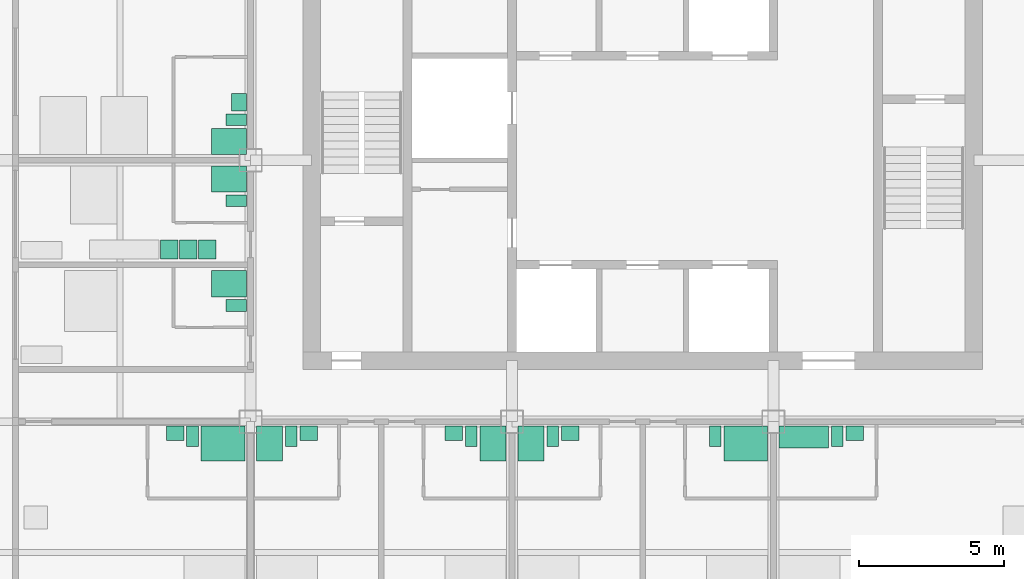
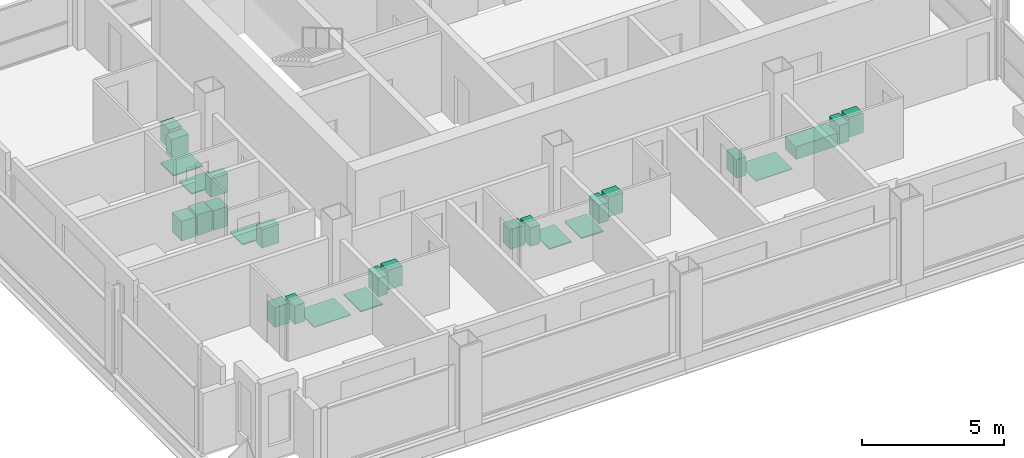
# One storey, part 11 of 12: 24 sanitary terminals, 3 electric appliances.
"""IFC4 building model written with IfcOpenShell, lengths in metres."""

from ifc_helpers import new_model, si_unit, direction, frame, origin, origin_2d, place, context, subcontext, project, spatial, rectangle, extrude, element, save


model = new_model("IFC4")

# Units and contexts
model_context = context("Model", 3, precision=1e-05, world=origin(), true_north=direction((0.0, 1.0)))
body_context = subcontext(model_context, "Body", "Model", "MODEL_VIEW")
ifc_project = project(units=[si_unit("LENGTHUNIT", "METRE"), si_unit("AREAUNIT", "SQUARE_METRE"), si_unit("VOLUMEUNIT", "CUBIC_METRE"), si_unit("PLANEANGLEUNIT", "RADIAN"), si_unit("MASSUNIT", "GRAM", prefix="KILO")], contexts=[model_context])

# Site, building, storey
site_placement = place(None, origin())
site = spatial("IfcSite", under=ifc_project, at=site_placement, CompositionType="ELEMENT")
building_placement = place(site_placement, origin())
building = spatial("IfcBuilding", under=site, at=building_placement, Name="Loomwork Tower", CompositionType="ELEMENT")
storey_placement = place(building_placement, frame((0.0, 0.0, 251.800048828125)))
storey = spatial("IfcBuildingStorey", under=building, at=storey_placement, Name="L69", CompositionType="ELEMENT", Elevation=251.800048828125)

# Sanitary terminals
sanitary_terminal_1_placement = place(storey_placement, frame((8.050048828125, 8.25, 0.0), z_axis=(0.0, 0.0, 1.0), x_axis=(1.0, 0.0, 0.0)))
element("IfcSanitaryTerminal", 1, at=sanitary_terminal_1_placement, inside=storey, Name="Roll-in shower floor L69", PredefinedType="SHOWER", context=body_context, shape_type="SweptSolid", body=[
    extrude(rectangle(XDim=1.5, YDim=1.199951171875, at=origin_2d()), origin(), (0.0, 0.0, 1.0), 0.030029296875),
])
sanitary_terminal_2_placement = place(storey_placement, frame((7.0, 8.5, 0.0), z_axis=(0.0, 0.0, 1.0), x_axis=(1.0, 0.0, 0.0)))
element("IfcSanitaryTerminal", 2, at=sanitary_terminal_2_placement, inside=storey, Name="WC L69", PredefinedType="TOILETPAN", context=body_context, shape_type="SweptSolid", body=[
    extrude(rectangle(XDim=0.39990234375, YDim=0.699951171875, at=origin_2d()), origin(), (0.0, 0.0, 1.0), 0.800048828125),
])
sanitary_terminal_3_placement = place(storey_placement, frame((6.39990234375, 8.60009765625, 0.0), z_axis=(0.0, 0.0, 1.0), x_axis=(1.0, 0.0, 0.0)))
element("IfcSanitaryTerminal", 3, at=sanitary_terminal_3_placement, inside=storey, Name="Basin vanity L69", PredefinedType="WASHHANDBASIN", context=body_context, shape_type="SweptSolid", body=[
    extrude(rectangle(XDim=0.60009765625, YDim=0.5, at=origin_2d()), origin(), (0.0, 0.0, 1.0), 0.85009765625),
])
sanitary_terminal_4_placement = place(storey_placement, frame((9.64990234375, 8.25, 0.0), z_axis=(0.0, 0.0, 1.0), x_axis=(1.0, 0.0, 0.0)))
element("IfcSanitaryTerminal", 4, at=sanitary_terminal_4_placement, inside=storey, Name="Shower tray L69", PredefinedType="SHOWER", context=body_context, shape_type="SweptSolid", body=[
    extrude(rectangle(XDim=0.89990234375, YDim=1.199951171875, at=origin_2d()), origin(), (0.0, 0.0, 1.0), 0.050048828125),
])
sanitary_terminal_5_placement = place(storey_placement, frame((10.39990234375, 8.5, 0.0), z_axis=(0.0, 0.0, 1.0), x_axis=(1.0, 0.0, 0.0)))
element("IfcSanitaryTerminal", 5, at=sanitary_terminal_5_placement, inside=storey, Name="WC L69", PredefinedType="TOILETPAN", context=body_context, shape_type="SweptSolid", body=[
    extrude(rectangle(XDim=0.39990234375, YDim=0.699951171875, at=origin_2d()), origin(), (0.0, 0.0, 1.0), 0.800048828125),
])
sanitary_terminal_6_placement = place(storey_placement, frame((11.0, 8.60009765625, 0.0), z_axis=(0.0, 0.0, 1.0), x_axis=(1.0, 0.0, 0.0)))
element("IfcSanitaryTerminal", 6, at=sanitary_terminal_6_placement, inside=storey, Name="Basin vanity L69", PredefinedType="WASHHANDBASIN", context=body_context, shape_type="SweptSolid", body=[
    extrude(rectangle(XDim=0.60009765625, YDim=0.5, at=origin_2d()), origin(), (0.0, 0.0, 1.0), 0.85009765625),
])
sanitary_terminal_7_placement = place(storey_placement, frame((17.35009765625, 8.25, 0.0), z_axis=(0.0, 0.0, 1.0), x_axis=(1.0, 0.0, 0.0)))
element("IfcSanitaryTerminal", 7, at=sanitary_terminal_7_placement, inside=storey, Name="Shower tray L69", PredefinedType="SHOWER", context=body_context, shape_type="SweptSolid", body=[
    extrude(rectangle(XDim=0.89990234375, YDim=1.199951171875, at=origin_2d()), origin(), (0.0, 0.0, 1.0), 0.050048828125),
])
sanitary_terminal_8_placement = place(storey_placement, frame((16.60009765625, 8.5, 0.0), z_axis=(0.0, 0.0, 1.0), x_axis=(1.0, 0.0, 0.0)))
element("IfcSanitaryTerminal", 8, at=sanitary_terminal_8_placement, inside=storey, Name="WC L69", PredefinedType="TOILETPAN", context=body_context, shape_type="SweptSolid", body=[
    extrude(rectangle(XDim=0.39990234375, YDim=0.699951171875, at=origin_2d()), origin(), (0.0, 0.0, 1.0), 0.800048828125),
])
sanitary_terminal_9_placement = place(storey_placement, frame((16.0, 8.60009765625, 0.0), z_axis=(0.0, 0.0, 1.0), x_axis=(1.0, 0.0, 0.0)))
element("IfcSanitaryTerminal", 9, at=sanitary_terminal_9_placement, inside=storey, Name="Basin vanity L69", PredefinedType="WASHHANDBASIN", context=body_context, shape_type="SweptSolid", body=[
    extrude(rectangle(XDim=0.60009765625, YDim=0.5, at=origin_2d()), origin(), (0.0, 0.0, 1.0), 0.85009765625),
])
sanitary_terminal_10_placement = place(storey_placement, frame((18.64990234375, 8.25, 0.0), z_axis=(0.0, 0.0, 1.0), x_axis=(1.0, 0.0, 0.0)))
element("IfcSanitaryTerminal", 10, at=sanitary_terminal_10_placement, inside=storey, Name="Shower tray L69", PredefinedType="SHOWER", context=body_context, shape_type="SweptSolid", body=[
    extrude(rectangle(XDim=0.89990234375, YDim=1.199951171875, at=origin_2d()), origin(), (0.0, 0.0, 1.0), 0.050048828125),
])
sanitary_terminal_11_placement = place(storey_placement, frame((19.39990234375, 8.5, 0.0), z_axis=(0.0, 0.0, 1.0), x_axis=(1.0, 0.0, 0.0)))
element("IfcSanitaryTerminal", 11, at=sanitary_terminal_11_placement, inside=storey, Name="WC L69", PredefinedType="TOILETPAN", context=body_context, shape_type="SweptSolid", body=[
    extrude(rectangle(XDim=0.39990234375, YDim=0.699951171875, at=origin_2d()), origin(), (0.0, 0.0, 1.0), 0.800048828125),
])
sanitary_terminal_12_placement = place(storey_placement, frame((20.0, 8.60009765625, 0.0), z_axis=(0.0, 0.0, 1.0), x_axis=(1.0, 0.0, 0.0)))
element("IfcSanitaryTerminal", 12, at=sanitary_terminal_12_placement, inside=storey, Name="Basin vanity L69", PredefinedType="WASHHANDBASIN", context=body_context, shape_type="SweptSolid", body=[
    extrude(rectangle(XDim=0.60009765625, YDim=0.5, at=origin_2d()), origin(), (0.0, 0.0, 1.0), 0.85009765625),
])
sanitary_terminal_13_placement = place(storey_placement, frame((26.050048828125, 8.25, 0.0), z_axis=(0.0, 0.0, 1.0), x_axis=(1.0, 0.0, 0.0)))
element("IfcSanitaryTerminal", 13, at=sanitary_terminal_13_placement, inside=storey, Name="Roll-in shower floor L69", PredefinedType="SHOWER", context=body_context, shape_type="SweptSolid", body=[
    extrude(rectangle(XDim=1.5, YDim=1.199951171875, at=origin_2d()), origin(), (0.0, 0.0, 1.0), 0.030029296875),
])
sanitary_terminal_14_placement = place(storey_placement, frame((25.0, 8.5, 0.0), z_axis=(0.0, 0.0, 1.0), x_axis=(1.0, 0.0, 0.0)))
element("IfcSanitaryTerminal", 14, at=sanitary_terminal_14_placement, inside=storey, Name="WC L69", PredefinedType="TOILETPAN", context=body_context, shape_type="SweptSolid", body=[
    extrude(rectangle(XDim=0.39990234375, YDim=0.699951171875, at=origin_2d()), origin(), (0.0, 0.0, 1.0), 0.800048828125),
])
sanitary_terminal_15_placement = place(storey_placement, frame((28.050048828125, 8.47509765625, 0.0), z_axis=(0.0, 0.0, 1.0), x_axis=(1.0, 0.0, 0.0)))
element("IfcSanitaryTerminal", 15, at=sanitary_terminal_15_placement, inside=storey, Name="Bath L69", PredefinedType="BATH", context=body_context, shape_type="SweptSolid", body=[
    extrude(rectangle(XDim=1.699951171875, YDim=0.75, at=origin_2d()), origin(), (0.0, 0.0, 1.0), 0.550048828125),
])
sanitary_terminal_16_placement = place(storey_placement, frame((29.199951171875, 8.5, 0.0), z_axis=(0.0, 0.0, 1.0), x_axis=(1.0, 0.0, 0.0)))
element("IfcSanitaryTerminal", 16, at=sanitary_terminal_16_placement, inside=storey, Name="WC L69", PredefinedType="TOILETPAN", context=body_context, shape_type="SweptSolid", body=[
    extrude(rectangle(XDim=0.39990234375, YDim=0.699951171875, at=origin_2d()), origin(), (0.0, 0.0, 1.0), 0.800048828125),
])
sanitary_terminal_17_placement = place(storey_placement, frame((29.800048828125, 8.60009765625, 0.0), z_axis=(0.0, 0.0, 1.0), x_axis=(1.0, 0.0, 0.0)))
element("IfcSanitaryTerminal", 17, at=sanitary_terminal_17_placement, inside=storey, Name="Basin vanity L69", PredefinedType="WASHHANDBASIN", context=body_context, shape_type="SweptSolid", body=[
    extrude(rectangle(XDim=0.60009765625, YDim=0.5, at=origin_2d()), origin(), (0.0, 0.0, 1.0), 0.85009765625),
])
sanitary_terminal_18_placement = place(storey_placement, frame((8.25, 13.75, 0.0), z_axis=(0.0, 0.0, 1.0), x_axis=(1.0, 0.0, 0.0)))
element("IfcSanitaryTerminal", 18, at=sanitary_terminal_18_placement, inside=storey, Name="Shower tray L69", PredefinedType="SHOWER", context=body_context, shape_type="SweptSolid", body=[
    extrude(rectangle(XDim=1.199951171875, YDim=0.89990234375, at=origin_2d()), origin(), (0.0, 0.0, 1.0), 0.050048828125),
])
sanitary_terminal_19_placement = place(storey_placement, frame((8.5, 13.0, 0.0), z_axis=(0.0, 0.0, 1.0), x_axis=(1.0, 0.0, 0.0)))
element("IfcSanitaryTerminal", 19, at=sanitary_terminal_19_placement, inside=storey, Name="WC L69", PredefinedType="TOILETPAN", context=body_context, shape_type="SweptSolid", body=[
    extrude(rectangle(XDim=0.699951171875, YDim=0.39990234375, at=origin_2d()), origin(), (0.0, 0.0, 1.0), 0.800048828125),
])
sanitary_terminal_20_placement = place(storey_placement, frame((8.25, 17.35009765625, 0.0), z_axis=(0.0, 0.0, 1.0), x_axis=(1.0, 0.0, 0.0)))
element("IfcSanitaryTerminal", 20, at=sanitary_terminal_20_placement, inside=storey, Name="Shower tray L69", PredefinedType="SHOWER", context=body_context, shape_type="SweptSolid", body=[
    extrude(rectangle(XDim=1.199951171875, YDim=0.89990234375, at=origin_2d()), origin(), (0.0, 0.0, 1.0), 0.050048828125),
])
sanitary_terminal_21_placement = place(storey_placement, frame((8.5, 16.60009765625, 0.0), z_axis=(0.0, 0.0, 1.0), x_axis=(1.0, 0.0, 0.0)))
element("IfcSanitaryTerminal", 21, at=sanitary_terminal_21_placement, inside=storey, Name="WC L69", PredefinedType="TOILETPAN", context=body_context, shape_type="SweptSolid", body=[
    extrude(rectangle(XDim=0.699951171875, YDim=0.39990234375, at=origin_2d()), origin(), (0.0, 0.0, 1.0), 0.800048828125),
])

# Electric appliances
electric_appliance_1_placement = place(storey_placement, frame((7.5, 14.925048828125, 0.0), z_axis=(0.0, 0.0, 1.0), x_axis=(1.0, 0.0, 0.0)))
element("IfcElectricAppliance", 22, at=electric_appliance_1_placement, inside=storey, Name="Refrigerator L69", PredefinedType="REFRIGERATOR", context=body_context, shape_type="SweptSolid", body=[
    extrude(rectangle(XDim=0.60009765625, YDim=0.64990234375, at=origin_2d()), origin(), (0.0, 0.0, 1.0), 0.85009765625),
])
electric_appliance_2_placement = place(storey_placement, frame((6.85009765625, 14.925048828125, 0.0), z_axis=(0.0, 0.0, 1.0), x_axis=(1.0, 0.0, 0.0)))
element("IfcElectricAppliance", 23, at=electric_appliance_2_placement, inside=storey, Name="Two-ring cooktop and oven L69", PredefinedType="ELECTRICCOOKER", context=body_context, shape_type="SweptSolid", body=[
    extrude(rectangle(XDim=0.60009765625, YDim=0.64990234375, at=origin_2d()), origin(), (0.0, 0.0, 1.0), 0.89990234375),
])
electric_appliance_3_placement = place(storey_placement, frame((6.199951171875, 14.925048828125, 0.0), z_axis=(0.0, 0.0, 1.0), x_axis=(1.0, 0.0, 0.0)))
element("IfcElectricAppliance", 24, at=electric_appliance_3_placement, inside=storey, Name="Dishwasher L69", PredefinedType="DISHWASHER", context=body_context, shape_type="SweptSolid", body=[
    extrude(rectangle(XDim=0.60009765625, YDim=0.64990234375, at=origin_2d()), origin(), (0.0, 0.0, 1.0), 0.85009765625),
])

# Sanitary terminals
sanitary_terminal_22_placement = place(storey_placement, frame((8.25, 18.64990234375, 0.0), z_axis=(0.0, 0.0, 1.0), x_axis=(1.0, 0.0, 0.0)))
element("IfcSanitaryTerminal", 25, at=sanitary_terminal_22_placement, inside=storey, Name="Shower tray L69", PredefinedType="SHOWER", context=body_context, shape_type="SweptSolid", body=[
    extrude(rectangle(XDim=1.199951171875, YDim=0.89990234375, at=origin_2d()), origin(), (0.0, 0.0, 1.0), 0.050048828125),
])
sanitary_terminal_23_placement = place(storey_placement, frame((8.5, 19.39990234375, 0.0), z_axis=(0.0, 0.0, 1.0), x_axis=(1.0, 0.0, 0.0)))
element("IfcSanitaryTerminal", 26, at=sanitary_terminal_23_placement, inside=storey, Name="WC L69", PredefinedType="TOILETPAN", context=body_context, shape_type="SweptSolid", body=[
    extrude(rectangle(XDim=0.699951171875, YDim=0.39990234375, at=origin_2d()), origin(), (0.0, 0.0, 1.0), 0.800048828125),
])
sanitary_terminal_24_placement = place(storey_placement, frame((8.60009765625, 20.0, 0.0), z_axis=(0.0, 0.0, 1.0), x_axis=(1.0, 0.0, 0.0)))
element("IfcSanitaryTerminal", 27, at=sanitary_terminal_24_placement, inside=storey, Name="Basin vanity L69", PredefinedType="WASHHANDBASIN", context=body_context, shape_type="SweptSolid", body=[
    extrude(rectangle(XDim=0.5, YDim=0.60009765625, at=origin_2d()), origin(), (0.0, 0.0, 1.0), 0.85009765625),
])

save(model, "model.ifc")
